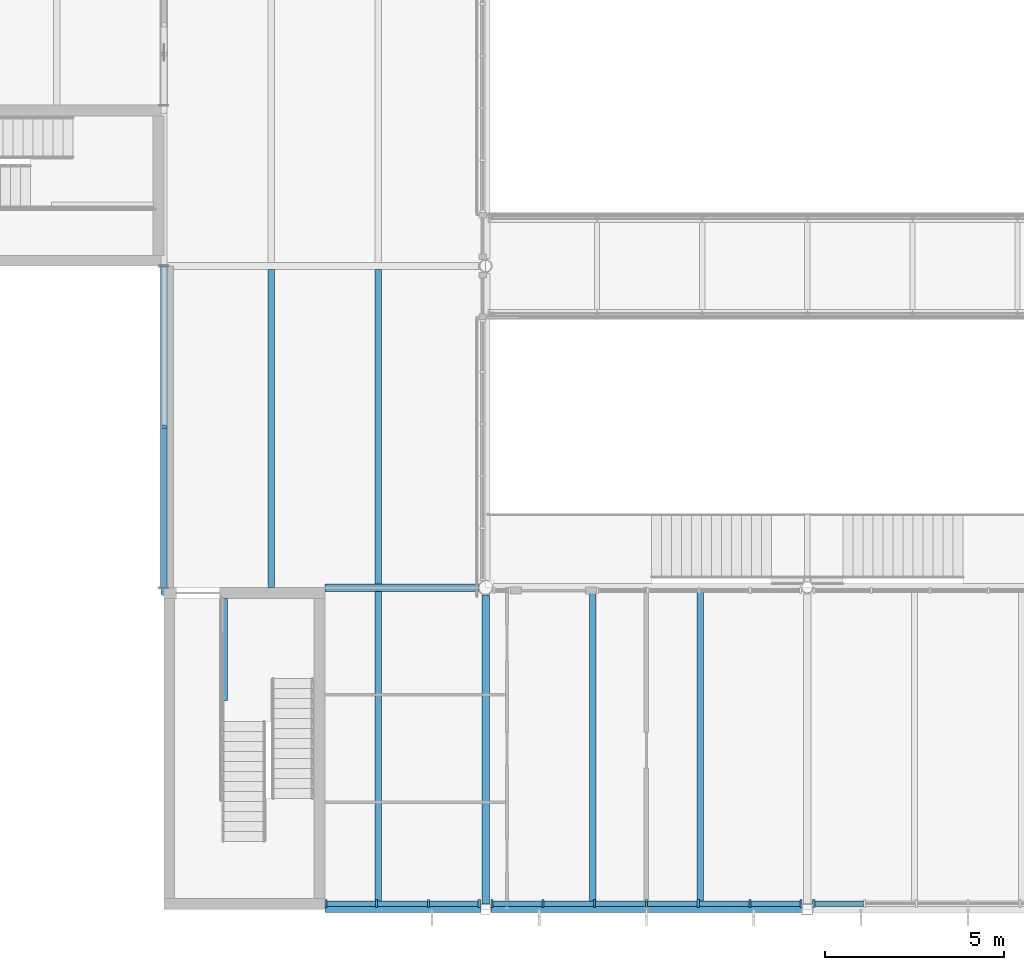
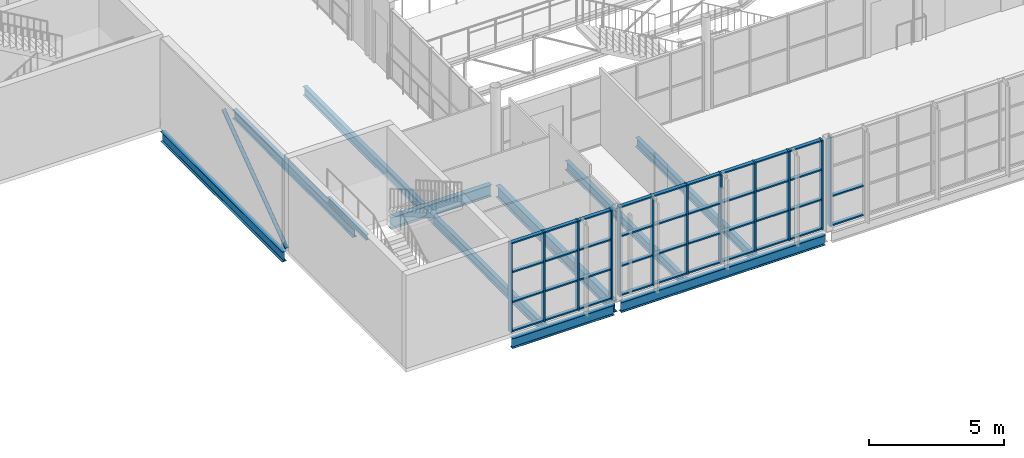
# One storey, part 17 of 61: 51 members, 11 beams, 3 elements without a shape of their own.
"""IFC4 building model written with IfcOpenShell, lengths in metres."""

from ifc_helpers import new_model, si_unit, direction, frame, origin, origin_2d, place, context, subcontext, project, spatial, rectangle, hollow_circle, i_section, extrude, material, layer, layer_set, material_profile, profile_set, type_object, element, aggregate, save


model = new_model("IFC4")

# Units and contexts
model_context = context("Model", 3, precision=1e-05, world=origin(), true_north=direction((0.0, 1.0)))
body_context = subcontext(model_context, "Body", "Model", "MODEL_VIEW")
ifc_project = project(units=[si_unit("LENGTHUNIT", "METRE"), si_unit("AREAUNIT", "SQUARE_METRE"), si_unit("VOLUMEUNIT", "CUBIC_METRE"), si_unit("PLANEANGLEUNIT", "RADIAN"), si_unit("MASSUNIT", "GRAM", prefix="KILO")], contexts=[model_context])

# Site, building, storey
site_placement = place(None, origin())
site = spatial("IfcSite", under=ifc_project, at=site_placement, CompositionType="ELEMENT")
building_placement = place(site_placement, origin())
building = spatial("IfcBuilding", under=site, at=building_placement, Name="Halyard Row Museum", CompositionType="ELEMENT")
storey_placement = place(building_placement, frame((0.0, 0.0, 9.199951171875)))
storey = spatial("IfcBuildingStorey", under=building, at=storey_placement, Name="L02", CompositionType="ELEMENT", Elevation=9.199951171875)

# Member
ifc_material_1 = material(Name="Steel Grade C350L0", Category="steel")
ifc_material_profile_1 = material_profile(ifc_material_1, hollow_circle(Radius=0.084228515625, WallThickness=0.007080078125, at=origin_2d()), Name="168.3x7.1CHS")
ifc_profile_set_1 = profile_set([ifc_material_profile_1], Name="Steel Grade C350L0")
member_type_1 = type_object("IfcMemberType", Name="Brace 168.3x7.1CHS", PredefinedType="BRACE", material=ifc_profile_set_1)
member_1_placement = place(storey_placement, frame((72.0, 8.830078125, 0.084228515625), z_axis=(0.0, 0.805866223189, 0.592097652692), x_axis=(-1.0, 0.0, 0.0)))
element("IfcMember", 1, at=member_1_placement, inside=storey, type_object=member_type_1, Name="Brace L02 X72 9-18 A", PredefinedType="BRACE", context=body_context, shape_type="SweptSolid", body=[
    extrude(hollow_circle(Radius=0.084228515625, WallThickness=0.007080078125, at=origin_2d()), origin(), (0.0, 0.0, 1.0), 5.794921875),
])

# Curtain wall, members
ifc_material_2 = material(Name="Double glazed unit, low-emissivity", Category="glass")
ifc_layer = layer(ifc_material_2, 0.219970703125)
ifc_layer_set = layer_set([ifc_layer], Name="Double glazed unit, low-emissivity")
curtain_wall_type = type_object("IfcCurtainWallType", Name="Curtain wall unitised 220 deep", PredefinedType="NOTDEFINED", material=ifc_layer_set)
curtain_wall_1_placement = place(storey_placement, origin())
curtain_wall_1 = element("IfcCurtainWall", 2, at=curtain_wall_1_placement, inside=storey, type_object=curtain_wall_type, Name="Curtain wall CW037", PredefinedType="NOTDEFINED")
ifc_material_3 = material(Name="Powder-coated aluminium section", Category="aluminium")
ifc_material_profile_2 = material_profile(ifc_material_3, rectangle(XDim=0.219970703125, YDim=0.06005859375, at=origin_2d()), Name="220x60 mullion")
ifc_profile_set_2 = profile_set([ifc_material_profile_2], Name="Powder-coated aluminium section")
member_type_2 = type_object("IfcMemberType", Name="Curtain wall mullion CM3 60 x 220", PredefinedType="MULLION", material=ifc_profile_set_2)
member_2_placement = place(storey_placement, frame((76.530029296875, 0.159912109375, 0.0), z_axis=(0.0, 0.0, 1.0), x_axis=(0.0, 1.0, 0.0)))
member_2 = element("IfcMember", 3, at=member_2_placement, type_object=member_type_2, Name="CW037 mullion 1", PredefinedType="MULLION", context=body_context, shape_type="SweptSolid", body=[
    extrude(rectangle(XDim=0.219970703125, YDim=0.06005859375, at=origin_2d()), origin(), (0.0, 0.0, 1.0), 4.03515625),
])
member_3_placement = place(storey_placement, frame((77.949951171875, 0.159912109375, 0.0), z_axis=(0.0, 0.0, 1.0), x_axis=(0.0, 1.0, 0.0)))
member_3 = element("IfcMember", 4, at=member_3_placement, type_object=member_type_2, Name="CW037 mullion 2", PredefinedType="MULLION", context=body_context, shape_type="SweptSolid", body=[
    extrude(rectangle(XDim=0.219970703125, YDim=0.06005859375, at=origin_2d()), origin(), (0.0, 0.0, 1.0), 4.03515625),
])
member_4_placement = place(storey_placement, frame((79.39990234375, 0.159912109375, 0.0), z_axis=(0.0, 0.0, 1.0), x_axis=(0.0, 1.0, 0.0)))
member_4 = element("IfcMember", 5, at=member_4_placement, type_object=member_type_2, Name="CW037 mullion 3", PredefinedType="MULLION", context=body_context, shape_type="SweptSolid", body=[
    extrude(rectangle(XDim=0.219970703125, YDim=0.06005859375, at=origin_2d()), origin(), (0.0, 0.0, 1.0), 4.03515625),
])
member_5_placement = place(storey_placement, frame((80.820068359375, 0.159912109375, 0.0), z_axis=(0.0, 0.0, 1.0), x_axis=(0.0, 1.0, 0.0)))
member_5 = element("IfcMember", 6, at=member_5_placement, type_object=member_type_2, Name="CW037 mullion 4", PredefinedType="MULLION", context=body_context, shape_type="SweptSolid", body=[
    extrude(rectangle(XDim=0.219970703125, YDim=0.06005859375, at=origin_2d()), origin(), (0.0, 0.0, 1.0), 4.03515625),
])

curtain_wall_2_placement = place(storey_placement, origin())
curtain_wall_2 = element("IfcCurtainWall", 7, at=curtain_wall_2_placement, inside=storey, type_object=curtain_wall_type, Name="Curtain wall CW038", PredefinedType="NOTDEFINED")
member_6_placement = place(storey_placement, frame((81.179931640625, 0.159912109375, 0.0), z_axis=(0.0, 0.0, 1.0), x_axis=(0.0, 1.0, 0.0)))
member_6 = element("IfcMember", 8, at=member_6_placement, type_object=member_type_2, Name="CW038 mullion 1", PredefinedType="MULLION", context=body_context, shape_type="SweptSolid", body=[
    extrude(rectangle(XDim=0.219970703125, YDim=0.06005859375, at=origin_2d()), origin(), (0.0, 0.0, 1.0), 4.03515625),
])
member_7_placement = place(storey_placement, frame((82.60009765625, 0.159912109375, 0.0), z_axis=(0.0, 0.0, 1.0), x_axis=(0.0, 1.0, 0.0)))
member_7 = element("IfcMember", 9, at=member_7_placement, type_object=member_type_2, Name="CW038 mullion 2", PredefinedType="MULLION", context=body_context, shape_type="SweptSolid", body=[
    extrude(rectangle(XDim=0.219970703125, YDim=0.06005859375, at=origin_2d()), origin(), (0.0, 0.0, 1.0), 4.03515625),
])
member_8_placement = place(storey_placement, frame((84.050048828125, 0.159912109375, 0.0), z_axis=(0.0, 0.0, 1.0), x_axis=(0.0, 1.0, 0.0)))
member_8 = element("IfcMember", 10, at=member_8_placement, type_object=member_type_2, Name="CW038 mullion 3", PredefinedType="MULLION", context=body_context, shape_type="SweptSolid", body=[
    extrude(rectangle(XDim=0.219970703125, YDim=0.06005859375, at=origin_2d()), origin(), (0.0, 0.0, 1.0), 4.03515625),
])
member_9_placement = place(storey_placement, frame((85.5, 0.159912109375, 0.0), z_axis=(0.0, 0.0, 1.0), x_axis=(0.0, 1.0, 0.0)))
member_9 = element("IfcMember", 11, at=member_9_placement, type_object=member_type_2, Name="CW038 mullion 4", PredefinedType="MULLION", context=body_context, shape_type="SweptSolid", body=[
    extrude(rectangle(XDim=0.219970703125, YDim=0.06005859375, at=origin_2d()), origin(), (0.0, 0.0, 1.0), 4.03515625),
])
member_10_placement = place(storey_placement, frame((86.949951171875, 0.159912109375, 0.0), z_axis=(0.0, 0.0, 1.0), x_axis=(0.0, 1.0, 0.0)))
member_10 = element("IfcMember", 12, at=member_10_placement, type_object=member_type_2, Name="CW038 mullion 5", PredefinedType="MULLION", context=body_context, shape_type="SweptSolid", body=[
    extrude(rectangle(XDim=0.219970703125, YDim=0.06005859375, at=origin_2d()), origin(), (0.0, 0.0, 1.0), 4.03515625),
])
member_11_placement = place(storey_placement, frame((88.39990234375, 0.159912109375, 0.0), z_axis=(0.0, 0.0, 1.0), x_axis=(0.0, 1.0, 0.0)))
member_11 = element("IfcMember", 13, at=member_11_placement, type_object=member_type_2, Name="CW038 mullion 6", PredefinedType="MULLION", context=body_context, shape_type="SweptSolid", body=[
    extrude(rectangle(XDim=0.219970703125, YDim=0.06005859375, at=origin_2d()), origin(), (0.0, 0.0, 1.0), 4.03515625),
])
member_12_placement = place(storey_placement, frame((89.820068359375, 0.159912109375, 0.0), z_axis=(0.0, 0.0, 1.0), x_axis=(0.0, 1.0, 0.0)))
member_12 = element("IfcMember", 14, at=member_12_placement, type_object=member_type_2, Name="CW038 mullion 7", PredefinedType="MULLION", context=body_context, shape_type="SweptSolid", body=[
    extrude(rectangle(XDim=0.219970703125, YDim=0.06005859375, at=origin_2d()), origin(), (0.0, 0.0, 1.0), 4.03515625),
])

# Curtain wall, member
curtain_wall_3_placement = place(storey_placement, origin())
curtain_wall_3 = element("IfcCurtainWall", 15, at=curtain_wall_3_placement, inside=storey, type_object=curtain_wall_type, Name="Curtain wall CW039", PredefinedType="NOTDEFINED")
member_13_placement = place(storey_placement, frame((90.179931640625, 0.159912109375, 0.0), z_axis=(0.0, 0.0, 1.0), x_axis=(0.0, 1.0, 0.0)))
member_13 = element("IfcMember", 16, at=member_13_placement, type_object=member_type_2, Name="CW039 mullion 1", PredefinedType="MULLION", context=body_context, shape_type="SweptSolid", body=[
    extrude(rectangle(XDim=0.219970703125, YDim=0.06005859375, at=origin_2d()), origin(), (0.0, 0.0, 1.0), 4.03515625),
])

# Member
ifc_material_4 = material(Name="Powder-coated aluminium section", Category="aluminium")
ifc_material_profile_3 = material_profile(ifc_material_4, rectangle(XDim=0.159912109375, YDim=0.06005859375, at=origin_2d()), Name="160x60 transom")
ifc_profile_set_3 = profile_set([ifc_material_profile_3], Name="Powder-coated aluminium section")
member_type_3 = type_object("IfcMemberType", Name="Curtain wall transom CT3 60 x 160", PredefinedType="USERDEFINED", material=ifc_profile_set_3)
member_14_placement = place(storey_placement, frame((76.56005859375, 0.159912109375, 0.030029296875), z_axis=(1.0, 0.0, 0.0), x_axis=(0.0, 1.0, 0.0)))
member_14 = element("IfcMember", 17, at=member_14_placement, type_object=member_type_3, Name="CW037 transom 1.1", ObjectType="TRANSOM", PredefinedType="USERDEFINED", context=body_context, shape_type="SweptSolid", body=[
    extrude(rectangle(XDim=0.159912109375, YDim=0.06005859375, at=origin_2d()), origin(), (0.0, 0.0, 1.0), 1.35986328125),
])

member_15_placement = place(storey_placement, frame((76.56005859375, 0.159912109375, 1.344970703125), z_axis=(1.0, 0.0, 0.0), x_axis=(0.0, 1.0, 0.0)))
member_15 = element("IfcMember", 18, at=member_15_placement, type_object=member_type_3, Name="CW037 transom 1.2", ObjectType="TRANSOM", PredefinedType="USERDEFINED", context=body_context, shape_type="SweptSolid", body=[
    extrude(rectangle(XDim=0.159912109375, YDim=0.06005859375, at=origin_2d()), origin(), (0.0, 0.0, 1.0), 1.35986328125),
])

member_16_placement = place(storey_placement, frame((76.56005859375, 0.159912109375, 2.68994140625), z_axis=(1.0, 0.0, 0.0), x_axis=(0.0, 1.0, 0.0)))
member_16 = element("IfcMember", 19, at=member_16_placement, type_object=member_type_3, Name="CW037 transom 1.3", ObjectType="TRANSOM", PredefinedType="USERDEFINED", context=body_context, shape_type="SweptSolid", body=[
    extrude(rectangle(XDim=0.159912109375, YDim=0.06005859375, at=origin_2d()), origin(), (0.0, 0.0, 1.0), 1.35986328125),
])

member_17_placement = place(storey_placement, frame((76.56005859375, 0.159912109375, 4.005126953125), z_axis=(1.0, 0.0, 0.0), x_axis=(0.0, 1.0, 0.0)))
member_17 = element("IfcMember", 20, at=member_17_placement, type_object=member_type_3, Name="CW037 transom 1.4", ObjectType="TRANSOM", PredefinedType="USERDEFINED", context=body_context, shape_type="SweptSolid", body=[
    extrude(rectangle(XDim=0.159912109375, YDim=0.06005859375, at=origin_2d()), origin(), (0.0, 0.0, 1.0), 1.35986328125),
])

member_18_placement = place(storey_placement, frame((77.97998046875, 0.159912109375, 0.030029296875), z_axis=(1.0, 0.0, 0.0), x_axis=(0.0, 1.0, 0.0)))
member_18 = element("IfcMember", 21, at=member_18_placement, type_object=member_type_3, Name="CW037 transom 2.1", ObjectType="TRANSOM", PredefinedType="USERDEFINED", context=body_context, shape_type="SweptSolid", body=[
    extrude(rectangle(XDim=0.159912109375, YDim=0.06005859375, at=origin_2d()), origin(), (0.0, 0.0, 1.0), 1.39013671875),
])

member_19_placement = place(storey_placement, frame((77.97998046875, 0.159912109375, 1.344970703125), z_axis=(1.0, 0.0, 0.0), x_axis=(0.0, 1.0, 0.0)))
member_19 = element("IfcMember", 22, at=member_19_placement, type_object=member_type_3, Name="CW037 transom 2.2", ObjectType="TRANSOM", PredefinedType="USERDEFINED", context=body_context, shape_type="SweptSolid", body=[
    extrude(rectangle(XDim=0.159912109375, YDim=0.06005859375, at=origin_2d()), origin(), (0.0, 0.0, 1.0), 1.39013671875),
])

member_20_placement = place(storey_placement, frame((77.97998046875, 0.159912109375, 2.68994140625), z_axis=(1.0, 0.0, 0.0), x_axis=(0.0, 1.0, 0.0)))
member_20 = element("IfcMember", 23, at=member_20_placement, type_object=member_type_3, Name="CW037 transom 2.3", ObjectType="TRANSOM", PredefinedType="USERDEFINED", context=body_context, shape_type="SweptSolid", body=[
    extrude(rectangle(XDim=0.159912109375, YDim=0.06005859375, at=origin_2d()), origin(), (0.0, 0.0, 1.0), 1.39013671875),
])

member_21_placement = place(storey_placement, frame((77.97998046875, 0.159912109375, 4.005126953125), z_axis=(1.0, 0.0, 0.0), x_axis=(0.0, 1.0, 0.0)))
member_21 = element("IfcMember", 24, at=member_21_placement, type_object=member_type_3, Name="CW037 transom 2.4", ObjectType="TRANSOM", PredefinedType="USERDEFINED", context=body_context, shape_type="SweptSolid", body=[
    extrude(rectangle(XDim=0.159912109375, YDim=0.06005859375, at=origin_2d()), origin(), (0.0, 0.0, 1.0), 1.39013671875),
])

member_22_placement = place(storey_placement, frame((79.429931640625, 0.159912109375, 0.030029296875), z_axis=(1.0, 0.0, 0.0), x_axis=(0.0, 1.0, 0.0)))
member_22 = element("IfcMember", 25, at=member_22_placement, type_object=member_type_3, Name="CW037 transom 3.1", ObjectType="TRANSOM", PredefinedType="USERDEFINED", context=body_context, shape_type="SweptSolid", body=[
    extrude(rectangle(XDim=0.159912109375, YDim=0.06005859375, at=origin_2d()), origin(), (0.0, 0.0, 1.0), 1.360107421875),
])

member_23_placement = place(storey_placement, frame((79.429931640625, 0.159912109375, 1.344970703125), z_axis=(1.0, 0.0, 0.0), x_axis=(0.0, 1.0, 0.0)))
member_23 = element("IfcMember", 26, at=member_23_placement, type_object=member_type_3, Name="CW037 transom 3.2", ObjectType="TRANSOM", PredefinedType="USERDEFINED", context=body_context, shape_type="SweptSolid", body=[
    extrude(rectangle(XDim=0.159912109375, YDim=0.06005859375, at=origin_2d()), origin(), (0.0, 0.0, 1.0), 1.360107421875),
])

member_24_placement = place(storey_placement, frame((79.429931640625, 0.159912109375, 2.68994140625), z_axis=(1.0, 0.0, 0.0), x_axis=(0.0, 1.0, 0.0)))
member_24 = element("IfcMember", 27, at=member_24_placement, type_object=member_type_3, Name="CW037 transom 3.3", ObjectType="TRANSOM", PredefinedType="USERDEFINED", context=body_context, shape_type="SweptSolid", body=[
    extrude(rectangle(XDim=0.159912109375, YDim=0.06005859375, at=origin_2d()), origin(), (0.0, 0.0, 1.0), 1.360107421875),
])

member_25_placement = place(storey_placement, frame((79.429931640625, 0.159912109375, 4.005126953125), z_axis=(1.0, 0.0, 0.0), x_axis=(0.0, 1.0, 0.0)))
member_25 = element("IfcMember", 28, at=member_25_placement, type_object=member_type_3, Name="CW037 transom 3.4", ObjectType="TRANSOM", PredefinedType="USERDEFINED", context=body_context, shape_type="SweptSolid", body=[
    extrude(rectangle(XDim=0.159912109375, YDim=0.06005859375, at=origin_2d()), origin(), (0.0, 0.0, 1.0), 1.360107421875),
])

aggregate(curtain_wall_1, [member_2, member_3, member_4, member_5, member_14, member_15, member_16, member_17, member_18, member_19, member_20, member_21, member_22, member_23, member_24, member_25])

member_26_placement = place(storey_placement, frame((81.2099609375, 0.159912109375, 0.030029296875), z_axis=(1.0, 0.0, 0.0), x_axis=(0.0, 1.0, 0.0)))
member_26 = element("IfcMember", 29, at=member_26_placement, type_object=member_type_3, Name="CW038 transom 1.1", ObjectType="TRANSOM", PredefinedType="USERDEFINED", context=body_context, shape_type="SweptSolid", body=[
    extrude(rectangle(XDim=0.159912109375, YDim=0.06005859375, at=origin_2d()), origin(), (0.0, 0.0, 1.0), 1.360107421875),
])

member_27_placement = place(storey_placement, frame((81.2099609375, 0.159912109375, 1.344970703125), z_axis=(1.0, 0.0, 0.0), x_axis=(0.0, 1.0, 0.0)))
member_27 = element("IfcMember", 30, at=member_27_placement, type_object=member_type_3, Name="CW038 transom 1.2", ObjectType="TRANSOM", PredefinedType="USERDEFINED", context=body_context, shape_type="SweptSolid", body=[
    extrude(rectangle(XDim=0.159912109375, YDim=0.06005859375, at=origin_2d()), origin(), (0.0, 0.0, 1.0), 1.360107421875),
])

member_28_placement = place(storey_placement, frame((81.2099609375, 0.159912109375, 2.68994140625), z_axis=(1.0, 0.0, 0.0), x_axis=(0.0, 1.0, 0.0)))
member_28 = element("IfcMember", 31, at=member_28_placement, type_object=member_type_3, Name="CW038 transom 1.3", ObjectType="TRANSOM", PredefinedType="USERDEFINED", context=body_context, shape_type="SweptSolid", body=[
    extrude(rectangle(XDim=0.159912109375, YDim=0.06005859375, at=origin_2d()), origin(), (0.0, 0.0, 1.0), 1.360107421875),
])

member_29_placement = place(storey_placement, frame((81.2099609375, 0.159912109375, 4.005126953125), z_axis=(1.0, 0.0, 0.0), x_axis=(0.0, 1.0, 0.0)))
member_29 = element("IfcMember", 32, at=member_29_placement, type_object=member_type_3, Name="CW038 transom 1.4", ObjectType="TRANSOM", PredefinedType="USERDEFINED", context=body_context, shape_type="SweptSolid", body=[
    extrude(rectangle(XDim=0.159912109375, YDim=0.06005859375, at=origin_2d()), origin(), (0.0, 0.0, 1.0), 1.360107421875),
])

member_30_placement = place(storey_placement, frame((82.6298828125, 0.159912109375, 0.030029296875), z_axis=(1.0, 0.0, 0.0), x_axis=(0.0, 1.0, 0.0)))
member_30 = element("IfcMember", 33, at=member_30_placement, type_object=member_type_3, Name="CW038 transom 2.1", ObjectType="TRANSOM", PredefinedType="USERDEFINED", context=body_context, shape_type="SweptSolid", body=[
    extrude(rectangle(XDim=0.159912109375, YDim=0.06005859375, at=origin_2d()), origin(), (0.0, 0.0, 1.0), 1.39013671875),
])

member_31_placement = place(storey_placement, frame((82.6298828125, 0.159912109375, 1.344970703125), z_axis=(1.0, 0.0, 0.0), x_axis=(0.0, 1.0, 0.0)))
member_31 = element("IfcMember", 34, at=member_31_placement, type_object=member_type_3, Name="CW038 transom 2.2", ObjectType="TRANSOM", PredefinedType="USERDEFINED", context=body_context, shape_type="SweptSolid", body=[
    extrude(rectangle(XDim=0.159912109375, YDim=0.06005859375, at=origin_2d()), origin(), (0.0, 0.0, 1.0), 1.39013671875),
])

member_32_placement = place(storey_placement, frame((82.6298828125, 0.159912109375, 2.68994140625), z_axis=(1.0, 0.0, 0.0), x_axis=(0.0, 1.0, 0.0)))
member_32 = element("IfcMember", 35, at=member_32_placement, type_object=member_type_3, Name="CW038 transom 2.3", ObjectType="TRANSOM", PredefinedType="USERDEFINED", context=body_context, shape_type="SweptSolid", body=[
    extrude(rectangle(XDim=0.159912109375, YDim=0.06005859375, at=origin_2d()), origin(), (0.0, 0.0, 1.0), 1.39013671875),
])

member_33_placement = place(storey_placement, frame((82.6298828125, 0.159912109375, 4.005126953125), z_axis=(1.0, 0.0, 0.0), x_axis=(0.0, 1.0, 0.0)))
member_33 = element("IfcMember", 36, at=member_33_placement, type_object=member_type_3, Name="CW038 transom 2.4", ObjectType="TRANSOM", PredefinedType="USERDEFINED", context=body_context, shape_type="SweptSolid", body=[
    extrude(rectangle(XDim=0.159912109375, YDim=0.06005859375, at=origin_2d()), origin(), (0.0, 0.0, 1.0), 1.39013671875),
])

member_34_placement = place(storey_placement, frame((84.080078125, 0.159912109375, 0.030029296875), z_axis=(1.0, 0.0, 0.0), x_axis=(0.0, 1.0, 0.0)))
member_34 = element("IfcMember", 37, at=member_34_placement, type_object=member_type_3, Name="CW038 transom 3.1", ObjectType="TRANSOM", PredefinedType="USERDEFINED", context=body_context, shape_type="SweptSolid", body=[
    extrude(rectangle(XDim=0.159912109375, YDim=0.06005859375, at=origin_2d()), origin(), (0.0, 0.0, 1.0), 1.389892578125),
])

member_35_placement = place(storey_placement, frame((84.080078125, 0.159912109375, 1.344970703125), z_axis=(1.0, 0.0, 0.0), x_axis=(0.0, 1.0, 0.0)))
member_35 = element("IfcMember", 38, at=member_35_placement, type_object=member_type_3, Name="CW038 transom 3.2", ObjectType="TRANSOM", PredefinedType="USERDEFINED", context=body_context, shape_type="SweptSolid", body=[
    extrude(rectangle(XDim=0.159912109375, YDim=0.06005859375, at=origin_2d()), origin(), (0.0, 0.0, 1.0), 1.389892578125),
])

member_36_placement = place(storey_placement, frame((84.080078125, 0.159912109375, 2.68994140625), z_axis=(1.0, 0.0, 0.0), x_axis=(0.0, 1.0, 0.0)))
member_36 = element("IfcMember", 39, at=member_36_placement, type_object=member_type_3, Name="CW038 transom 3.3", ObjectType="TRANSOM", PredefinedType="USERDEFINED", context=body_context, shape_type="SweptSolid", body=[
    extrude(rectangle(XDim=0.159912109375, YDim=0.06005859375, at=origin_2d()), origin(), (0.0, 0.0, 1.0), 1.389892578125),
])

member_37_placement = place(storey_placement, frame((84.080078125, 0.159912109375, 4.005126953125), z_axis=(1.0, 0.0, 0.0), x_axis=(0.0, 1.0, 0.0)))
member_37 = element("IfcMember", 40, at=member_37_placement, type_object=member_type_3, Name="CW038 transom 3.4", ObjectType="TRANSOM", PredefinedType="USERDEFINED", context=body_context, shape_type="SweptSolid", body=[
    extrude(rectangle(XDim=0.159912109375, YDim=0.06005859375, at=origin_2d()), origin(), (0.0, 0.0, 1.0), 1.389892578125),
])

member_38_placement = place(storey_placement, frame((85.530029296875, 0.159912109375, 0.030029296875), z_axis=(1.0, 0.0, 0.0), x_axis=(0.0, 1.0, 0.0)))
member_38 = element("IfcMember", 41, at=member_38_placement, type_object=member_type_3, Name="CW038 transom 4.1", ObjectType="TRANSOM", PredefinedType="USERDEFINED", context=body_context, shape_type="SweptSolid", body=[
    extrude(rectangle(XDim=0.159912109375, YDim=0.06005859375, at=origin_2d()), origin(), (0.0, 0.0, 1.0), 1.389892578125),
])

member_39_placement = place(storey_placement, frame((85.530029296875, 0.159912109375, 1.344970703125), z_axis=(1.0, 0.0, 0.0), x_axis=(0.0, 1.0, 0.0)))
member_39 = element("IfcMember", 42, at=member_39_placement, type_object=member_type_3, Name="CW038 transom 4.2", ObjectType="TRANSOM", PredefinedType="USERDEFINED", context=body_context, shape_type="SweptSolid", body=[
    extrude(rectangle(XDim=0.159912109375, YDim=0.06005859375, at=origin_2d()), origin(), (0.0, 0.0, 1.0), 1.389892578125),
])

member_40_placement = place(storey_placement, frame((85.530029296875, 0.159912109375, 2.68994140625), z_axis=(1.0, 0.0, 0.0), x_axis=(0.0, 1.0, 0.0)))
member_40 = element("IfcMember", 43, at=member_40_placement, type_object=member_type_3, Name="CW038 transom 4.3", ObjectType="TRANSOM", PredefinedType="USERDEFINED", context=body_context, shape_type="SweptSolid", body=[
    extrude(rectangle(XDim=0.159912109375, YDim=0.06005859375, at=origin_2d()), origin(), (0.0, 0.0, 1.0), 1.389892578125),
])

member_41_placement = place(storey_placement, frame((85.530029296875, 0.159912109375, 4.005126953125), z_axis=(1.0, 0.0, 0.0), x_axis=(0.0, 1.0, 0.0)))
member_41 = element("IfcMember", 44, at=member_41_placement, type_object=member_type_3, Name="CW038 transom 4.4", ObjectType="TRANSOM", PredefinedType="USERDEFINED", context=body_context, shape_type="SweptSolid", body=[
    extrude(rectangle(XDim=0.159912109375, YDim=0.06005859375, at=origin_2d()), origin(), (0.0, 0.0, 1.0), 1.389892578125),
])

member_42_placement = place(storey_placement, frame((86.97998046875, 0.159912109375, 0.030029296875), z_axis=(1.0, 0.0, 0.0), x_axis=(0.0, 1.0, 0.0)))
member_42 = element("IfcMember", 45, at=member_42_placement, type_object=member_type_3, Name="CW038 transom 5.1", ObjectType="TRANSOM", PredefinedType="USERDEFINED", context=body_context, shape_type="SweptSolid", body=[
    extrude(rectangle(XDim=0.159912109375, YDim=0.06005859375, at=origin_2d()), origin(), (0.0, 0.0, 1.0), 1.39013671875),
])

member_43_placement = place(storey_placement, frame((86.97998046875, 0.159912109375, 1.344970703125), z_axis=(1.0, 0.0, 0.0), x_axis=(0.0, 1.0, 0.0)))
member_43 = element("IfcMember", 46, at=member_43_placement, type_object=member_type_3, Name="CW038 transom 5.2", ObjectType="TRANSOM", PredefinedType="USERDEFINED", context=body_context, shape_type="SweptSolid", body=[
    extrude(rectangle(XDim=0.159912109375, YDim=0.06005859375, at=origin_2d()), origin(), (0.0, 0.0, 1.0), 1.39013671875),
])

member_44_placement = place(storey_placement, frame((86.97998046875, 0.159912109375, 2.68994140625), z_axis=(1.0, 0.0, 0.0), x_axis=(0.0, 1.0, 0.0)))
member_44 = element("IfcMember", 47, at=member_44_placement, type_object=member_type_3, Name="CW038 transom 5.3", ObjectType="TRANSOM", PredefinedType="USERDEFINED", context=body_context, shape_type="SweptSolid", body=[
    extrude(rectangle(XDim=0.159912109375, YDim=0.06005859375, at=origin_2d()), origin(), (0.0, 0.0, 1.0), 1.39013671875),
])

member_45_placement = place(storey_placement, frame((86.97998046875, 0.159912109375, 4.005126953125), z_axis=(1.0, 0.0, 0.0), x_axis=(0.0, 1.0, 0.0)))
member_45 = element("IfcMember", 48, at=member_45_placement, type_object=member_type_3, Name="CW038 transom 5.4", ObjectType="TRANSOM", PredefinedType="USERDEFINED", context=body_context, shape_type="SweptSolid", body=[
    extrude(rectangle(XDim=0.159912109375, YDim=0.06005859375, at=origin_2d()), origin(), (0.0, 0.0, 1.0), 1.39013671875),
])

member_46_placement = place(storey_placement, frame((88.429931640625, 0.159912109375, 0.030029296875), z_axis=(1.0, 0.0, 0.0), x_axis=(0.0, 1.0, 0.0)))
member_46 = element("IfcMember", 49, at=member_46_placement, type_object=member_type_3, Name="CW038 transom 6.1", ObjectType="TRANSOM", PredefinedType="USERDEFINED", context=body_context, shape_type="SweptSolid", body=[
    extrude(rectangle(XDim=0.159912109375, YDim=0.06005859375, at=origin_2d()), origin(), (0.0, 0.0, 1.0), 1.360107421875),
])

member_47_placement = place(storey_placement, frame((88.429931640625, 0.159912109375, 1.344970703125), z_axis=(1.0, 0.0, 0.0), x_axis=(0.0, 1.0, 0.0)))
member_47 = element("IfcMember", 50, at=member_47_placement, type_object=member_type_3, Name="CW038 transom 6.2", ObjectType="TRANSOM", PredefinedType="USERDEFINED", context=body_context, shape_type="SweptSolid", body=[
    extrude(rectangle(XDim=0.159912109375, YDim=0.06005859375, at=origin_2d()), origin(), (0.0, 0.0, 1.0), 1.360107421875),
])

member_48_placement = place(storey_placement, frame((88.429931640625, 0.159912109375, 2.68994140625), z_axis=(1.0, 0.0, 0.0), x_axis=(0.0, 1.0, 0.0)))
member_48 = element("IfcMember", 51, at=member_48_placement, type_object=member_type_3, Name="CW038 transom 6.3", ObjectType="TRANSOM", PredefinedType="USERDEFINED", context=body_context, shape_type="SweptSolid", body=[
    extrude(rectangle(XDim=0.159912109375, YDim=0.06005859375, at=origin_2d()), origin(), (0.0, 0.0, 1.0), 1.360107421875),
])

member_49_placement = place(storey_placement, frame((88.429931640625, 0.159912109375, 4.005126953125), z_axis=(1.0, 0.0, 0.0), x_axis=(0.0, 1.0, 0.0)))
member_49 = element("IfcMember", 52, at=member_49_placement, type_object=member_type_3, Name="CW038 transom 6.4", ObjectType="TRANSOM", PredefinedType="USERDEFINED", context=body_context, shape_type="SweptSolid", body=[
    extrude(rectangle(XDim=0.159912109375, YDim=0.06005859375, at=origin_2d()), origin(), (0.0, 0.0, 1.0), 1.360107421875),
])

aggregate(curtain_wall_2, [member_6, member_7, member_8, member_9, member_10, member_11, member_12, member_26, member_27, member_28, member_29, member_30, member_31, member_32, member_33, member_34, member_35, member_36, member_37, member_38, member_39, member_40, member_41, member_42, member_43, member_44, member_45, member_46, member_47, member_48, member_49])

member_50_placement = place(storey_placement, frame((90.2099609375, 0.159912109375, 0.030029296875), z_axis=(1.0, 0.0, 0.0), x_axis=(0.0, 1.0, 0.0)))
member_50 = element("IfcMember", 53, at=member_50_placement, type_object=member_type_3, Name="CW039 transom 1.1", ObjectType="TRANSOM", PredefinedType="USERDEFINED", context=body_context, shape_type="SweptSolid", body=[
    extrude(rectangle(XDim=0.159912109375, YDim=0.06005859375, at=origin_2d()), origin(), (0.0, 0.0, 1.0), 1.360107421875),
])

member_51_placement = place(storey_placement, frame((90.2099609375, 0.159912109375, 1.344970703125), z_axis=(1.0, 0.0, 0.0), x_axis=(0.0, 1.0, 0.0)))
member_51 = element("IfcMember", 54, at=member_51_placement, type_object=member_type_3, Name="CW039 transom 1.2", ObjectType="TRANSOM", PredefinedType="USERDEFINED", context=body_context, shape_type="SweptSolid", body=[
    extrude(rectangle(XDim=0.159912109375, YDim=0.06005859375, at=origin_2d()), origin(), (0.0, 0.0, 1.0), 1.360107421875),
])

aggregate(curtain_wall_3, [member_13, member_50, member_51])

# Beams
ifc_material_5 = material(Name="Steel Grade 300", Category="steel")
ifc_material_profile_4 = material_profile(ifc_material_5, i_section(OverallWidth=0.18994140625, OverallDepth=0.45751953125, WebThickness=0.009033203125, FlangeThickness=0.014404296875, FilletRadius=0.011474609375, at=origin_2d()), Name="460UB74.6")
ifc_profile_set_4 = profile_set([ifc_material_profile_4], Name="Steel Grade 300")
beam_type_1 = type_object("IfcBeamType", Name="Edge beam 460UB74.6", PredefinedType="BEAM", material=ifc_profile_set_4)
beam_1_placement = place(storey_placement, frame((76.5, 0.0, -0.3935546875), z_axis=(1.0, 0.0, 0.0), x_axis=(0.0, 1.0, 0.0)))
element("IfcBeam", 55, at=beam_1_placement, inside=storey, type_object=beam_type_1, Name="Beam L02-002", PredefinedType="BEAM", context=body_context, shape_type="SweptSolid", body=[
    extrude(i_section(OverallWidth=0.18994140625, OverallDepth=0.45751953125, WebThickness=0.009033203125, FlangeThickness=0.014404296875, FilletRadius=0.011474609375, at=origin_2d()), origin(), (0.0, 0.0, 1.0), 4.35009765625),
])
beam_2_placement = place(storey_placement, frame((81.14990234375, 0.0, -0.3935546875), z_axis=(1.0, 0.0, 0.0), x_axis=(0.0, 1.0, 0.0)))
element("IfcBeam", 56, at=beam_2_placement, inside=storey, type_object=beam_type_1, Name="Beam L02-003", PredefinedType="BEAM", context=body_context, shape_type="SweptSolid", body=[
    extrude(i_section(OverallWidth=0.18994140625, OverallDepth=0.45751953125, WebThickness=0.009033203125, FlangeThickness=0.014404296875, FilletRadius=0.011474609375, at=origin_2d()), origin(), (0.0, 0.0, 1.0), 8.7001953125),
])
beam_3_placement = place(storey_placement, frame((72.0, 9.0, -0.3935546875), z_axis=(0.0, 1.0, 0.0), x_axis=(-1.0, 0.0, 0.0)))
element("IfcBeam", 57, at=beam_3_placement, inside=storey, type_object=beam_type_1, Name="Beam L02-064", PredefinedType="BEAM", context=body_context, shape_type="SweptSolid", body=[
    extrude(i_section(OverallWidth=0.18994140625, OverallDepth=0.45751953125, WebThickness=0.009033203125, FlangeThickness=0.014404296875, FilletRadius=0.011474609375, at=origin_2d()), origin(), (0.0, 0.0, 1.0), 9.0),
])
ifc_material_6 = material(Name="Steel Grade 300", Category="steel")
ifc_material_profile_5 = material_profile(ifc_material_6, i_section(OverallWidth=0.208984375, OverallDepth=0.532958984375, WebThickness=0.01025390625, FlangeThickness=0.015625, FilletRadius=0.013916015625, at=origin_2d()), Name="530UB92.4")
ifc_profile_set_5 = profile_set([ifc_material_profile_5], Name="Steel Grade 300")
beam_type_2 = type_object("IfcBeamType", Name="Girder beam 530UB92.4", PredefinedType="BEAM", material=ifc_profile_set_5)
beam_4_placement = place(storey_placement, frame((76.5, 9.0, -0.431396484375), z_axis=(1.0, 0.0, 0.0), x_axis=(0.0, 1.0, 0.0)))
element("IfcBeam", 58, at=beam_4_placement, inside=storey, type_object=beam_type_2, Name="Beam L02-007", PredefinedType="BEAM", context=body_context, shape_type="SweptSolid", body=[
    extrude(i_section(OverallWidth=0.208984375, OverallDepth=0.532958984375, WebThickness=0.01025390625, FlangeThickness=0.015625, FilletRadius=0.013916015625, at=origin_2d()), origin(), (0.0, 0.0, 1.0), 4.296875),
])
beam_5_placement = place(storey_placement, frame((81.0, 0.14990234375, -0.431396484375), z_axis=(0.0, 1.0, 0.0), x_axis=(-1.0, 0.0, 0.0)))
element("IfcBeam", 59, at=beam_5_placement, inside=storey, type_object=beam_type_2, Name="Beam L02-067", PredefinedType="BEAM", context=body_context, shape_type="SweptSolid", body=[
    extrude(i_section(OverallWidth=0.208984375, OverallDepth=0.532958984375, WebThickness=0.01025390625, FlangeThickness=0.015625, FilletRadius=0.013916015625, at=origin_2d()), origin(), (0.0, 0.0, 1.0), 8.64697265625),
])
ifc_material_7 = material(Name="Steel Grade 300", Category="steel")
ifc_material_profile_6 = material_profile(ifc_material_7, i_section(OverallWidth=0.1240234375, OverallDepth=0.248046875, WebThickness=0.0048828125, FlangeThickness=0.008056640625, FilletRadius=0.011962890625, at=origin_2d()), Name="250UB25.7")
ifc_profile_set_6 = profile_set([ifc_material_profile_6], Name="Steel Grade 300")
beam_type_3 = type_object("IfcBeamType", Name="Landing trimmer 250UB25.7", PredefinedType="BEAM", material=ifc_profile_set_6)
beam_6_placement = place(storey_placement, frame((73.721923828125, 8.702880859375, 1.776123046875), z_axis=(0.0, -1.0, 0.0), x_axis=(1.0, 0.0, 0.0)))
element("IfcBeam", 60, at=beam_6_placement, inside=storey, type_object=beam_type_3, Name="Landing ledger K2A L02 1", PredefinedType="BEAM", context=body_context, shape_type="SweptSolid", body=[
    extrude(i_section(OverallWidth=0.1240234375, OverallDepth=0.248046875, WebThickness=0.0048828125, FlangeThickness=0.008056640625, FilletRadius=0.011962890625, at=origin_2d()), origin(), (0.0, 0.0, 1.0), 2.852783203125),
])
ifc_material_8 = material(Name="Steel Grade 300", Category="steel")
ifc_material_profile_7 = material_profile(ifc_material_8, i_section(OverallWidth=0.177978515625, OverallDepth=0.406494140625, WebThickness=0.0078125, FlangeThickness=0.0126953125, FilletRadius=0.011474609375, at=origin_2d()), Name="410UB59.7")
ifc_profile_set_7 = profile_set([ifc_material_profile_7], Name="Steel Grade 300")
beam_type_4 = type_object("IfcBeamType", Name="Secondary beam 410UB59.7", PredefinedType="BEAM", material=ifc_profile_set_7)
beam_7_placement = place(storey_placement, frame((78.0, 0.094970703125, -0.3681640625), z_axis=(0.0, 1.0, 0.0), x_axis=(-1.0, 0.0, 0.0)))
element("IfcBeam", 61, at=beam_7_placement, inside=storey, type_object=beam_type_4, Name="Beam L02-087", PredefinedType="BEAM", context=body_context, shape_type="SweptSolid", body=[
    extrude(i_section(OverallWidth=0.177978515625, OverallDepth=0.406494140625, WebThickness=0.0078125, FlangeThickness=0.0126953125, FilletRadius=0.011474609375, at=origin_2d()), origin(), (0.0, 0.0, 1.0), 8.800537109375),
])
for number, where, z_axis, x_axis, name in (
    (62, (84.0, 0.094970703125, -0.3681640625), (0.0, 1.0, 0.0), (-1.0, 0.0, 0.0), "Beam L02-088"),
    (63, (87.0, 0.094970703125, -0.3681640625), (0.0, 1.0, 0.0), (-1.0, 0.0, 0.0), "Beam L02-089"),
):
    element("IfcBeam", number, at=place(storey_placement, frame(where, z_axis=z_axis, x_axis=x_axis)), inside=storey, type_object=beam_type_4, Name=name, PredefinedType="BEAM", context=body_context, shape_type="SweptSolid", body=[
        extrude(i_section(OverallWidth=0.177978515625, OverallDepth=0.406494140625, WebThickness=0.0078125, FlangeThickness=0.0126953125, FilletRadius=0.011474609375, at=origin_2d()), origin(), (0.0, 0.0, 1.0), 8.791015625),
    ])
beam_8_placement = place(storey_placement, frame((75.0, 9.0, -0.3681640625), z_axis=(0.0, 1.0, 0.0), x_axis=(-1.0, 0.0, 0.0)))
element("IfcBeam", 64, at=beam_8_placement, inside=storey, type_object=beam_type_4, Name="Beam L02-096", PredefinedType="BEAM", context=body_context, shape_type="SweptSolid", body=[
    extrude(i_section(OverallWidth=0.177978515625, OverallDepth=0.406494140625, WebThickness=0.0078125, FlangeThickness=0.0126953125, FilletRadius=0.011474609375, at=origin_2d()), origin(), (0.0, 0.0, 1.0), 8.8955078125),
])
beam_9_placement = place(storey_placement, frame((78.0, 9.1044921875, -0.3681640625), z_axis=(0.0, 1.0, 0.0), x_axis=(-1.0, 0.0, 0.0)))
element("IfcBeam", 65, at=beam_9_placement, inside=storey, type_object=beam_type_4, Name="Beam L02-098", PredefinedType="BEAM", context=body_context, shape_type="SweptSolid", body=[
    extrude(i_section(OverallWidth=0.177978515625, OverallDepth=0.406494140625, WebThickness=0.0078125, FlangeThickness=0.0126953125, FilletRadius=0.011474609375, at=origin_2d()), origin(), (0.0, 0.0, 1.0), 8.791015625),
])

save(model, "model.ifc")
